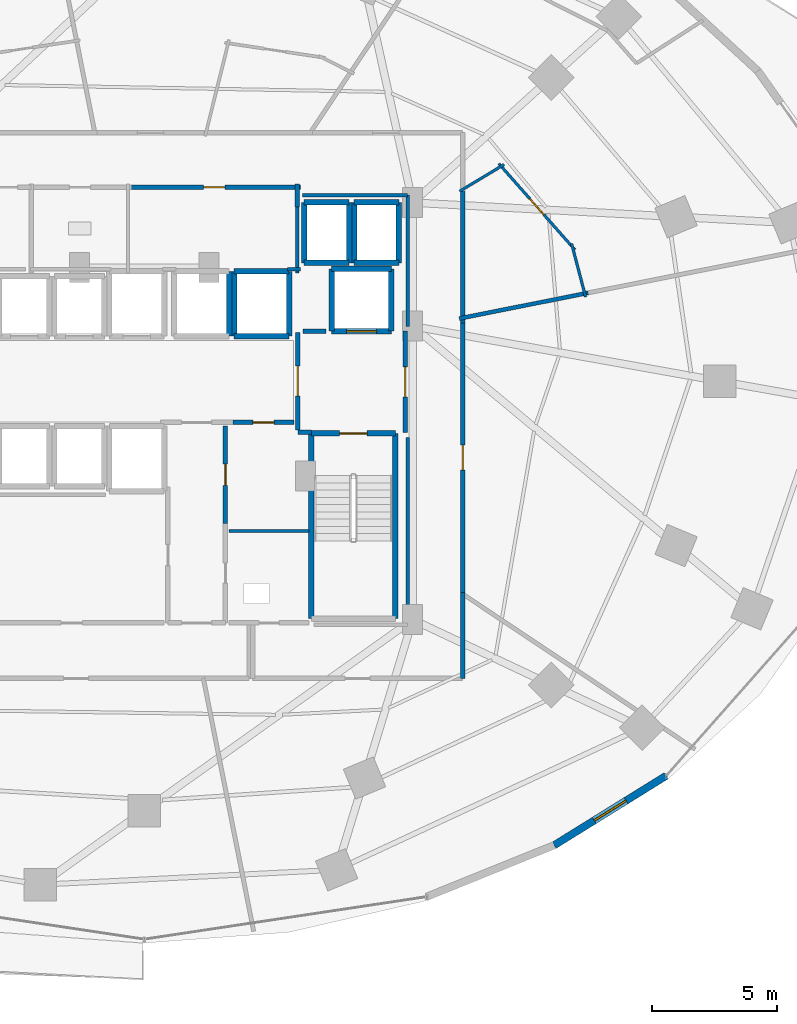
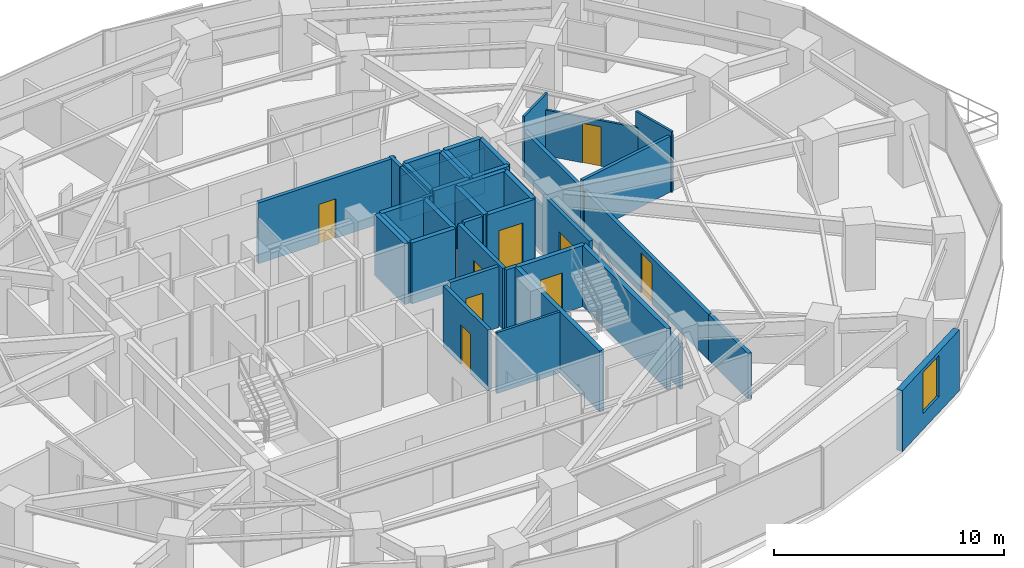
# One storey, part 28 of 33: 42 walls, 9 doors, 1 window, 10 openings.
"""IFC4 building model written with IfcOpenShell, lengths in metres."""

from ifc_helpers import new_model, si_unit, direction, frame, frame_2d, origin, place, context, subcontext, project, spatial, rectangle, extrude, material, layer, layer_set, type_object, element, fill, save


model = new_model("IFC4")

# Units and contexts
model_context = context("Model", 3, precision=1e-05, world=origin(), true_north=direction((0.0, 1.0)))
body_context = subcontext(model_context, "Body", "Model", "MODEL_VIEW")
ifc_project = project(units=[si_unit("LENGTHUNIT", "METRE"), si_unit("AREAUNIT", "SQUARE_METRE"), si_unit("VOLUMEUNIT", "CUBIC_METRE"), si_unit("PLANEANGLEUNIT", "RADIAN"), si_unit("MASSUNIT", "GRAM", prefix="KILO")], contexts=[model_context])

# Site, building, storey
site_placement = place(None, origin())
site = spatial("IfcSite", under=ifc_project, at=site_placement, CompositionType="ELEMENT")
building_placement = place(site_placement, origin())
building = spatial("IfcBuilding", under=site, at=building_placement, Name="Vorneva Point Tower", CompositionType="ELEMENT")
storey_placement = place(building_placement, frame((0.0, 0.0, 38.0)))
storey = spatial("IfcBuildingStorey", under=building, at=storey_placement, Name="L09", CompositionType="ELEMENT", Elevation=38.0)

# Wall, opening, door
ifc_material_1 = material(Name="Concrete B60 (C50/60)", Category="concrete")
ifc_layer_1 = layer(ifc_material_1, 0.5)
ifc_layer_set_1 = layer_set([ifc_layer_1], Name="Concrete B60 (C50/60)")
wall_type_1 = type_object("IfcWallType", Name="WL-CORE-500", PredefinedType="SHEAR", material=ifc_layer_set_1)
wall_1_placement = place(storey_placement, frame((45.5, 28.0, 0.0), z_axis=(0.0, 0.0, 1.0), x_axis=(1.0, 0.0, 0.0)))
wall_1 = element("IfcWall", 1, at=wall_1_placement, inside=storey, type_object=wall_type_1, Name="L09 Lift FFL2 Shaft Wall -Y", PredefinedType="SHEAR", context=body_context, shape_type="SweptSolid", body=[
    extrude(rectangle(XDim=2.39990234375, YDim=0.219970703125, at=frame_2d((1.199951171875, 0.0))), origin(), (0.0, 0.0, 1.0), 3.239990234375),
])
opening_1_placement = place(wall_1_placement, frame((0.60009765625, 0.0, 0.0)))
opening_1 = element("IfcOpeningElement", 2, at=opening_1_placement, cuts=wall_1, Name="Opening LD-02", PredefinedType="OPENING", context=body_context, shape_type="SweptSolid", body=[
    extrude(rectangle(XDim=1.199951171875, YDim=2.199951171875, at=frame_2d((0.60009765625, 1.10009765625))), frame((0.0, 0.125, 0.0), z_axis=(0.0, -1.0, 0.0), x_axis=(1.0, 0.0, 0.0)), (0.0, 0.0, 1.0), 0.249755859375),
])
ifc_material_2 = material(Name="Brushed stainless steel S304", Category="steel")
door_type_1 = type_object("IfcDoorType", Name="LD-FIRE-1200", OperationType="SLIDING_TO_LEFT", PredefinedType="DOOR", material=ifc_material_2)
door_1_placement = place(opening_1_placement, origin())
door_1 = element("IfcDoor", 3, at=door_1_placement, inside=storey, type_object=door_type_1, Name="L09 Lift FFL2 Sliding Landing Door", OperationType="SLIDING_TO_LEFT", OverallHeight=2.199951171875, OverallWidth=1.199951171875, PredefinedType="DOOR", context=body_context, shape_type="SweptSolid", body=[
    extrude(rectangle(XDim=1.199951171875, YDim=2.199951171875, at=frame_2d((0.60009765625, 1.10009765625))), frame((0.0, 0.02490234375, 0.0), z_axis=(0.0, -1.0, 0.0), x_axis=(1.0, 0.0, 0.0)), (0.0, 0.0, 1.0), 0.050048828125),
])
fill(opening_1, door_1)

# Walls
wall_2_placement = place(storey_placement, frame((47.89990234375, 28.0, 0.0), z_axis=(0.0, 0.0, 1.0), x_axis=(0.0, 1.0, 0.0)))
element("IfcWall", 4, at=wall_2_placement, inside=storey, type_object=wall_type_1, Name="L09 Lift FFL2 Shaft Wall +X", PredefinedType="SHEAR", context=body_context, shape_type="SweptSolid", body=[
    extrude(rectangle(XDim=2.5, YDim=0.219970703125, at=frame_2d((1.25, 0.0))), origin(), (0.0, 0.0, 1.0), 3.239990234375),
])
wall_3_placement = place(storey_placement, frame((47.89990234375, 30.5, 0.0), z_axis=(0.0, 0.0, 1.0), x_axis=(-1.0, 0.0, 0.0)))
element("IfcWall", 5, at=wall_3_placement, inside=storey, type_object=wall_type_1, Name="L09 Lift FFL2 Shaft Wall +Y", PredefinedType="SHEAR", context=body_context, shape_type="SweptSolid", body=[
    extrude(rectangle(XDim=2.39990234375, YDim=0.219970703125, at=frame_2d((1.199951171875, 0.0))), origin(), (0.0, 0.0, 1.0), 3.239990234375),
])
wall_4_placement = place(storey_placement, frame((45.5, 30.5, 0.0), z_axis=(0.0, 0.0, 1.0), x_axis=(0.0, -1.0, 0.0)))
element("IfcWall", 6, at=wall_4_placement, inside=storey, type_object=wall_type_1, Name="L09 Lift FFL2 Shaft Wall -X", PredefinedType="SHEAR", context=body_context, shape_type="SweptSolid", body=[
    extrude(rectangle(XDim=2.5, YDim=0.219970703125, at=frame_2d((1.25, 0.0))), origin(), (0.0, 0.0, 1.0), 3.239990234375),
])

# Wall, opening, window
ifc_material_3 = material(Name="Precast concrete B50 (C40/50)", Category="concrete")
ifc_layer_2 = layer(ifc_material_3, 0.300048828125)
ifc_layer_set_2 = layer_set([ifc_layer_2], Name="Precast concrete B50 (C40/50)")
wall_type_2 = type_object("IfcWallType", Name="WL-EXT-300", PredefinedType="STANDARD", material=ifc_layer_set_2)
wall_5_placement = place(storey_placement, frame((54.4169921875, 7.416748046875, 0.0), z_axis=(0.0, 0.0, 1.0), x_axis=(0.849633724826, 0.527373239404, 0.0)))
wall_5 = element("IfcWall", 7, at=wall_5_placement, inside=storey, type_object=wall_type_2, Name="L09 Pale-Metal Facade Spandrel Wall 14.2", PredefinedType="STANDARD", context=body_context, shape_type="SweptSolid", body=[
    extrude(rectangle(XDim=5.2705078125, YDim=0.300048828125, at=frame_2d((2.63525390625, 0.0))), origin(), (0.0, 0.0, 1.0), 3.239990234375),
])
opening_2_placement = place(wall_5_placement, frame((1.88525390625, 0.0, 0.85009765625)))
opening_2 = element("IfcOpeningElement", 8, at=opening_2_placement, cuts=wall_5, Name="Opening W-02", PredefinedType="OPENING", context=body_context, shape_type="SweptSolid", body=[
    extrude(rectangle(XDim=1.5, YDim=2.18994140625, at=frame_2d((0.75, 1.094970703125))), frame((0.0, 0.1650390625, 0.0), z_axis=(0.0, -1.0, 0.0), x_axis=(1.0, 0.0, 0.0)), (0.0, 0.0, 1.0), 0.329833984375),
])
ifc_material_4 = material(Name="Double low-e laminated glass IGU", Category="glass")
window_type = type_object("IfcWindowType", Name="WN-HTL-1500", PartitioningType="SINGLE_PANEL", PredefinedType="WINDOW", material=ifc_material_4)
window_placement = place(opening_2_placement, origin())
window = element("IfcWindow", 9, at=window_placement, inside=storey, type_object=window_type, Name="L09 Facade Window 14", OverallHeight=2.18994140625, OverallWidth=1.5, PartitioningType="SINGLE_PANEL", PredefinedType="WINDOW", context=body_context, shape_type="SweptSolid", body=[
    extrude(rectangle(XDim=1.5, YDim=2.18994140625, at=frame_2d((0.75, 1.094970703125))), frame((0.0, 0.030029296875, 0.0), z_axis=(0.0, -1.0, 0.0), x_axis=(1.0, 0.0, 0.0)), (0.0, 0.0, 1.0), 0.06005859375),
])
fill(opening_2, window)

# Wall
ifc_material_5 = material(Name="Fire-rated acoustic gypsum stud partition", Category="gypsum")
ifc_layer_3 = layer(ifc_material_5, 0.110107421875)
ifc_layer_set_3 = layer_set([ifc_layer_3], Name="Fire-rated acoustic gypsum stud partition")
wall_type_3 = type_object("IfcWallType", Name="WL-PART-110", PredefinedType="PARTITIONING", material=ifc_layer_set_3)
wall_6_placement = place(storey_placement, frame((50.630126953125, 33.603759765625, 0.0), z_axis=(0.0, 0.0, 1.0), x_axis=(0.856631627837, 0.515928535932, 0.0)))
element("IfcWall", 10, at=wall_6_placement, inside=storey, type_object=wall_type_3, Name="L09 Interior Partition 043", PredefinedType="PARTITIONING", context=body_context, shape_type="SweptSolid", body=[
    extrude(rectangle(XDim=2.078857421875, YDim=0.110107421875, at=frame_2d((1.03955078125, 0.0))), origin(), (0.0, 0.0, 1.0), 3.239990234375),
])

# Wall, opening, door
wall_7_placement = place(storey_placement, frame((52.1982421875, 34.708984375, 0.0), z_axis=(0.0, 0.0, 1.0), x_axis=(0.662071486681, -0.74944068913, 0.0)))
wall_7 = element("IfcWall", 11, at=wall_7_placement, inside=storey, type_object=wall_type_3, Name="L09 Interior Partition 044", PredefinedType="PARTITIONING", context=body_context, shape_type="SweptSolid", body=[
    extrude(rectangle(XDim=4.593994140625, YDim=0.110107421875, at=frame_2d((2.296875, 0.0))), origin(), (0.0, 0.0, 1.0), 2.431884765625),
])
opening_3_placement = place(wall_7_placement, frame((1.871826171875, 0.0, 0.0)))
opening_3 = element("IfcOpeningElement", 12, at=opening_3_placement, cuts=wall_7, Name="Opening ID-02", PredefinedType="OPENING", context=body_context, shape_type="SweptSolid", body=[
    extrude(rectangle(XDim=0.85009765625, YDim=2.10009765625, at=frame_2d((0.425048828125, 1.050048828125))), frame((0.0, 0.06982421875, 0.0), z_axis=(0.0, -1.0, 0.0), x_axis=(1.0, 0.0, 0.0)), (0.0, 0.0, 1.0), 0.139892578125),
])
ifc_material_6 = material(Name="Engineered oak fire-rated door leaf", Category="wood")
door_type_2 = type_object("IfcDoorType", Name="DR-BATH-850", OperationType="NOTDEFINED", PredefinedType="DOOR", material=ifc_material_6)
door_2_placement = place(opening_3_placement, origin())
door_2 = element("IfcDoor", 13, at=door_2_placement, inside=storey, type_object=door_type_2, Name="L09 Door Executive Suite L09-01 / En-Suite Bathroom L09-01", OperationType="SINGLE_SWING_RIGHT", OverallHeight=2.10009765625, OverallWidth=0.85009765625, PredefinedType="DOOR", context=body_context, shape_type="SweptSolid", body=[
    extrude(rectangle(XDim=0.85009765625, YDim=2.10009765625, at=frame_2d((0.425048828125, 1.050048828125))), frame((0.0, 0.02490234375, 0.0), z_axis=(0.0, -1.0, 0.0), x_axis=(1.0, 0.0, 0.0)), (0.0, 0.0, 1.0), 0.050048828125),
])
fill(opening_3, door_2)

# Walls
wall_8_placement = place(storey_placement, frame((55.111328125, 31.50634765625, 0.0), z_axis=(0.0, 0.0, 1.0), x_axis=(0.254389812051, -0.967101764823, 0.0)))
element("IfcWall", 14, at=wall_8_placement, inside=storey, type_object=wall_type_3, Name="L09 Interior Partition 045", PredefinedType="PARTITIONING", context=body_context, shape_type="SweptSolid", body=[
    extrude(rectangle(XDim=2.206298828125, YDim=0.110107421875, at=frame_2d((1.10302734375, 0.0))), origin(), (0.0, 0.0, 1.0), 3.239990234375),
])
ifc_layer_4 = layer(ifc_material_5, 0.125)
ifc_layer_set_4 = layer_set([ifc_layer_4], Name="Fire-rated acoustic gypsum stud partition")
wall_type_4 = type_object("IfcWallType", Name="WL-PART-125", PredefinedType="PARTITIONING", material=ifc_layer_set_4)
wall_9_placement = place(storey_placement, frame((44.60009765625, 20.0, 0.0), z_axis=(0.0, 0.0, 1.0), x_axis=(-1.0, 0.0, 0.0)))
element("IfcWall", 15, at=wall_9_placement, inside=storey, type_object=wall_type_4, Name="L09 Interior Partition 015", PredefinedType="PARTITIONING", context=body_context, shape_type="SweptSolid", body=[
    extrude(rectangle(XDim=3.2001953125, YDim=0.125, at=frame_2d((1.60009765625, 0.0))), origin(), (0.0, 0.0, 1.0), 3.239990234375),
])
ifc_layer_5 = layer(ifc_material_5, 0.139892578125)
ifc_layer_set_5 = layer_set([ifc_layer_5], Name="Fire-rated acoustic gypsum stud partition")
wall_type_5 = type_object("IfcWallType", Name="WL-PART-140", PredefinedType="PARTITIONING", material=ifc_layer_set_5)
wall_10_placement = place(storey_placement, frame((43.735107421875, 30.47998046875, 0.0), z_axis=(0.0, 0.0, 1.0), x_axis=(1.0, 0.0, 0.0)))
element("IfcWall", 16, at=wall_10_placement, inside=storey, type_object=wall_type_5, Name="L09 Interior Closure Partition 091", PredefinedType="PARTITIONING", context=body_context, shape_type="SweptSolid", body=[
    extrude(rectangle(XDim=0.52490234375, YDim=0.139892578125, at=frame_2d((0.262451171875, 0.0))), origin(), (0.0, 0.0, 1.0), 3.239990234375),
])
wall_11_placement = place(storey_placement, frame((44.1201171875, 30.340087890625, 0.0), z_axis=(0.0, 0.0, 1.0), x_axis=(0.0, 1.0, 0.0)))
element("IfcWall", 17, at=wall_11_placement, inside=storey, type_object=wall_type_5, Name="L09 Interior Closure Partition 092", PredefinedType="PARTITIONING", context=body_context, shape_type="SweptSolid", body=[
    extrude(rectangle(XDim=2.659912109375, YDim=0.139892578125, at=frame_2d((1.330078125, 0.0))), origin(), (0.0, 0.0, 1.0), 3.239990234375),
])
wall_12_placement = place(storey_placement, frame((44.340087890625, 33.449951171875, 0.0), z_axis=(0.0, 0.0, 1.0), x_axis=(1.0, 0.0, 0.0)))
element("IfcWall", 18, at=wall_12_placement, inside=storey, type_object=wall_type_5, Name="L09 Interior Closure Partition 094", PredefinedType="PARTITIONING", context=body_context, shape_type="SweptSolid", body=[
    extrude(rectangle(XDim=4.2099609375, YDim=0.139892578125, at=frame_2d((2.10498046875, 0.0))), origin(), (0.0, 0.0, 1.0), 2.431884765625),
])
wall_13_placement = place(storey_placement, frame((48.550048828125, 33.449951171875, 0.0), z_axis=(0.0, 0.0, 1.0), x_axis=(0.0, -1.0, 0.0)))
element("IfcWall", 19, at=wall_13_placement, inside=storey, type_object=wall_type_5, Name="L09 Interior Closure Partition 095", PredefinedType="PARTITIONING", context=body_context, shape_type="SweptSolid", body=[
    extrude(rectangle(XDim=5.25390625, YDim=0.139892578125, at=frame_2d((2.626953125, 0.0))), origin(), (0.0, 0.0, 1.0), 2.431884765625),
])
wall_14_placement = place(storey_placement, frame((48.550048828125, 23.75390625, 0.0), z_axis=(0.0, 0.0, 1.0), x_axis=(0.0, -1.0, 0.0)))
element("IfcWall", 20, at=wall_14_placement, inside=storey, type_object=wall_type_5, Name="L09 Interior Closure Partition 096", PredefinedType="PARTITIONING", context=body_context, shape_type="SweptSolid", body=[
    extrude(rectangle(XDim=7.513916015625, YDim=0.139892578125, at=frame_2d((3.7568359375, 0.0))), origin(), (0.0, 0.0, 1.0), 2.431884765625),
])
ifc_layer_6 = layer(ifc_material_5, 0.159912109375)
ifc_layer_set_6 = layer_set([ifc_layer_6], Name="Fire-rated acoustic gypsum stud partition")
wall_type_6 = type_object("IfcWallType", Name="WL-PART-160", PredefinedType="PARTITIONING", material=ifc_layer_set_6)
wall_15_placement = place(storey_placement, frame((50.61279296875, 28.5087890625, 0.0), z_axis=(0.0, 0.0, 1.0), x_axis=(0.980788877604, 0.195072236795, 0.0)))
element("IfcWall", 21, at=wall_15_placement, inside=storey, type_object=wall_type_6, Name="L09 Interior Partition 051", PredefinedType="PARTITIONING", context=body_context, shape_type="SweptSolid", body=[
    extrude(rectangle(XDim=5.2626953125, YDim=0.159912109375, at=frame_2d((2.63134765625, 0.0))), origin(), (0.0, 0.0, 1.0), 2.971923828125),
])

# Wall, opening, door
ifc_material_7 = material(Name="Autoclaved aerated concrete blockwork", Category="masonry")
ifc_layer_7 = layer(ifc_material_7, 0.179931640625)
ifc_layer_set_7 = layer_set([ifc_layer_7], Name="Autoclaved aerated concrete blockwork")
wall_type_7 = type_object("IfcWallType", Name="WL-PART-180", PredefinedType="PARTITIONING", material=ifc_layer_set_7)
wall_16_placement = place(storey_placement, frame((44.14990234375, 27.955078125, 0.0), z_axis=(0.0, 0.0, 1.0), x_axis=(0.0, -1.0, 0.0)))
wall_16 = element("IfcWall", 22, at=wall_16_placement, inside=storey, type_object=wall_type_7, Name="L09 Interior Partition 003", PredefinedType="PARTITIONING", context=body_context, shape_type="SweptSolid", body=[
    extrude(rectangle(XDim=3.91015625, YDim=0.179931640625, at=frame_2d((1.955078125, 0.0))), origin(), (0.0, 0.0, 1.0), 3.239990234375),
])
opening_4_placement = place(wall_16_placement, frame((1.35498046875, 0.0, 0.0)))
opening_4 = element("IfcOpeningElement", 23, at=opening_4_placement, cuts=wall_16, Name="Opening FD-02", PredefinedType="OPENING", context=body_context, shape_type="SweptSolid", body=[
    extrude(rectangle(XDim=1.199951171875, YDim=2.14990234375, at=frame_2d((0.60009765625, 1.074951171875))), frame((0.0, 0.10498046875, 0.0), z_axis=(0.0, -1.0, 0.0), x_axis=(1.0, 0.0, 0.0)), (0.0, 0.0, 1.0), 0.209716796875),
])
ifc_material_8 = material(Name="Fire-rated powder-coated steel", Category="steel")
door_type_3 = type_object("IfcDoorType", Name="DR-FFL-1200", OperationType="NOTDEFINED", PredefinedType="DOOR", material=ifc_material_8)
door_3_placement = place(opening_4_placement, origin())
door_3 = element("IfcDoor", 24, at=door_3_placement, inside=storey, type_object=door_type_3, Name="L09 Door East Firefighting Lobby / Central Lift Lobby", OperationType="SINGLE_SWING_RIGHT", OverallHeight=2.14990234375, OverallWidth=1.199951171875, PredefinedType="DOOR", context=body_context, shape_type="SweptSolid", body=[
    extrude(rectangle(XDim=1.199951171875, YDim=2.14990234375, at=frame_2d((0.60009765625, 1.074951171875))), frame((0.0, 0.02490234375, 0.0), z_axis=(0.0, -1.0, 0.0), x_axis=(1.0, 0.0, 0.0)), (0.0, 0.0, 1.0), 0.050048828125),
])
fill(opening_4, door_3)

# Wall
wall_17_placement = place(storey_placement, frame((44.14990234375, 23.949951171875, 0.0), z_axis=(0.0, 0.0, 1.0), x_axis=(1.0, 0.0, 0.0)))
element("IfcWall", 25, at=wall_17_placement, inside=storey, type_object=wall_type_7, Name="L09 Interior Partition 004", PredefinedType="PARTITIONING", context=body_context, shape_type="SweptSolid", body=[
    extrude(rectangle(XDim=0.5400390625, YDim=0.179931640625, at=frame_2d((0.27001953125, 0.0))), origin(), (0.0, 0.0, 1.0), 3.239990234375),
])

# Wall, opening, door
wall_18_placement = place(storey_placement, frame((48.449951171875, 23.949951171875, 0.0), z_axis=(0.0, 0.0, 1.0), x_axis=(0.0, 1.0, 0.0)))
wall_18 = element("IfcWall", 26, at=wall_18_placement, inside=storey, type_object=wall_type_7, Name="L09 Interior Partition 005", PredefinedType="PARTITIONING", context=body_context, shape_type="SweptSolid", body=[
    extrude(rectangle(XDim=4.050048828125, YDim=0.179931640625, at=frame_2d((2.02490234375, 0.0))), origin(), (0.0, 0.0, 1.0), 3.239990234375),
])
opening_5_placement = place(wall_18_placement, frame((1.425048828125, 0.0, 0.0)))
opening_5 = element("IfcOpeningElement", 27, at=opening_5_placement, cuts=wall_18, Name="Opening FD-02", PredefinedType="OPENING", context=body_context, shape_type="SweptSolid", body=[
    extrude(rectangle(XDim=1.199951171875, YDim=2.14990234375, at=frame_2d((0.60009765625, 1.074951171875))), frame((0.0, 0.10498046875, 0.0), z_axis=(0.0, -1.0, 0.0), x_axis=(1.0, 0.0, 0.0)), (0.0, 0.0, 1.0), 0.209716796875),
])
door_4_placement = place(opening_5_placement, origin())
door_4 = element("IfcDoor", 28, at=door_4_placement, inside=storey, type_object=door_type_3, Name="L09 Door East Firefighting Lobby / L09 Circulation Corridor", OperationType="SINGLE_SWING_LEFT", OverallHeight=2.14990234375, OverallWidth=1.199951171875, PredefinedType="DOOR", context=body_context, shape_type="SweptSolid", body=[
    extrude(rectangle(XDim=1.199951171875, YDim=2.14990234375, at=frame_2d((0.60009765625, 1.074951171875))), frame((0.0, 0.02490234375, 0.0), z_axis=(0.0, -1.0, 0.0), x_axis=(1.0, 0.0, 0.0)), (0.0, 0.0, 1.0), 0.050048828125),
])
fill(opening_5, door_4)

wall_19_placement = place(storey_placement, frame((41.554931640625, 24.35009765625, 0.0), z_axis=(0.0, 0.0, 1.0), x_axis=(1.0, 0.0, 0.0)))
wall_19 = element("IfcWall", 29, at=wall_19_placement, inside=storey, type_object=wall_type_7, Name="L09 Interior Partition 010", PredefinedType="PARTITIONING", context=body_context, shape_type="SweptSolid", body=[
    extrude(rectangle(XDim=2.445068359375, YDim=0.179931640625, at=frame_2d((1.22265625, 0.0))), origin(), (0.0, 0.0, 1.0), 3.239990234375),
])
opening_6_placement = place(wall_19_placement, frame((0.797607421875, 0.0, 0.0)))
opening_6 = element("IfcOpeningElement", 30, at=opening_6_placement, cuts=wall_19, Name="Opening ID-02", PredefinedType="OPENING", context=body_context, shape_type="SweptSolid", body=[
    extrude(rectangle(XDim=0.85009765625, YDim=2.10009765625, at=frame_2d((0.425048828125, 1.050048828125))), frame((0.0, 0.10498046875, 0.0), z_axis=(0.0, -1.0, 0.0), x_axis=(1.0, 0.0, 0.0)), (0.0, 0.0, 1.0), 0.209716796875),
])
door_5_placement = place(opening_6_placement, origin())
door_5 = element("IfcDoor", 31, at=door_5_placement, inside=storey, type_object=door_type_2, Name="L09 Door Central Lift Lobby / Cleaners Store", OperationType="SINGLE_SWING_RIGHT", OverallHeight=2.10009765625, OverallWidth=0.85009765625, PredefinedType="DOOR", context=body_context, shape_type="SweptSolid", body=[
    extrude(rectangle(XDim=0.85009765625, YDim=2.10009765625, at=frame_2d((0.425048828125, 1.050048828125))), frame((0.0, 0.02490234375, 0.0), z_axis=(0.0, -1.0, 0.0), x_axis=(1.0, 0.0, 0.0)), (0.0, 0.0, 1.0), 0.050048828125),
])
fill(opening_6, door_5)

wall_20_placement = place(storey_placement, frame((41.25, 20.304931640625, 0.0), z_axis=(0.0, 0.0, 1.0), x_axis=(0.0, 1.0, 0.0)))
wall_20 = element("IfcWall", 32, at=wall_20_placement, inside=storey, type_object=wall_type_7, Name="L09 Interior Partition 012", PredefinedType="PARTITIONING", context=body_context, shape_type="SweptSolid", body=[
    extrude(rectangle(XDim=3.89501953125, YDim=0.179931640625, at=frame_2d((1.947509765625, 0.0))), origin(), (0.0, 0.0, 1.0), 3.239990234375),
])
opening_7_placement = place(wall_20_placement, frame((1.5224609375, 0.0, 0.0)))
opening_7 = element("IfcOpeningElement", 33, at=opening_7_placement, cuts=wall_20, Name="Opening ID-02", PredefinedType="OPENING", context=body_context, shape_type="SweptSolid", body=[
    extrude(rectangle(XDim=0.85009765625, YDim=2.10009765625, at=frame_2d((0.425048828125, 1.050048828125))), frame((0.0, 0.10498046875, 0.0), z_axis=(0.0, -1.0, 0.0), x_axis=(1.0, 0.0, 0.0)), (0.0, 0.0, 1.0), 0.209716796875),
])
door_6_placement = place(opening_7_placement, origin())
door_6 = element("IfcDoor", 34, at=door_6_placement, inside=storey, type_object=door_type_2, Name="L09 Door Core Service Lobby / Cleaners Store", OperationType="SINGLE_SWING_RIGHT", OverallHeight=2.10009765625, OverallWidth=0.85009765625, PredefinedType="DOOR", context=body_context, shape_type="SweptSolid", body=[
    extrude(rectangle(XDim=0.85009765625, YDim=2.10009765625, at=frame_2d((0.425048828125, 1.050048828125))), frame((0.0, 0.02490234375, 0.0), z_axis=(0.0, -1.0, 0.0), x_axis=(1.0, 0.0, 0.0)), (0.0, 0.0, 1.0), 0.050048828125),
])
fill(opening_7, door_6)

wall_21_placement = place(storey_placement, frame((44.260009765625, 33.760009765625, 0.0), z_axis=(0.0, 0.0, 1.0), x_axis=(-1.0, 0.0, 0.0)))
wall_21 = element("IfcWall", 35, at=wall_21_placement, inside=storey, type_object=wall_type_7, Name="L09 Interior Partition 019", PredefinedType="PARTITIONING", context=body_context, shape_type="SweptSolid", body=[
    extrude(rectangle(XDim=6.909912109375, YDim=0.179931640625, at=frame_2d((3.455078125, 0.0))), origin(), (0.0, 0.0, 1.0), 3.239990234375),
])
opening_8_placement = place(wall_21_placement, frame((3.030029296875, 0.0, 0.0)))
opening_8 = element("IfcOpeningElement", 36, at=opening_8_placement, cuts=wall_21, Name="Opening ID-02", PredefinedType="OPENING", context=body_context, shape_type="SweptSolid", body=[
    extrude(rectangle(XDim=0.85009765625, YDim=2.10009765625, at=frame_2d((0.425048828125, 1.050048828125))), frame((0.0, 0.10498046875, 0.0), z_axis=(0.0, -1.0, 0.0), x_axis=(1.0, 0.0, 0.0)), (0.0, 0.0, 1.0), 0.209716796875),
])
door_7_placement = place(opening_8_placement, origin())
door_7 = element("IfcDoor", 37, at=door_7_placement, inside=storey, type_object=door_type_2, Name="L09 Door Public Restroom / L09 Circulation Corridor", OperationType="SINGLE_SWING_LEFT", OverallHeight=2.10009765625, OverallWidth=0.85009765625, PredefinedType="DOOR", context=body_context, shape_type="SweptSolid", body=[
    extrude(rectangle(XDim=0.85009765625, YDim=2.10009765625, at=frame_2d((0.425048828125, 1.050048828125))), frame((0.0, 0.02490234375, 0.0), z_axis=(0.0, -1.0, 0.0), x_axis=(1.0, 0.0, 0.0)), (0.0, 0.0, 1.0), 0.050048828125),
])
fill(opening_8, door_7)

# Walls
wall_22_placement = place(storey_placement, frame((44.1201171875, 32.969970703125, 0.0), z_axis=(0.0, 0.0, 1.0), x_axis=(0.0, 1.0, 0.0)))
element("IfcWall", 38, at=wall_22_placement, inside=storey, type_object=wall_type_7, Name="L09 Interior Partition 020", PredefinedType="PARTITIONING", context=body_context, shape_type="SweptSolid", body=[
    extrude(rectangle(XDim=0.929931640625, YDim=0.179931640625, at=frame_2d((0.46484375, 0.0))), origin(), (0.0, 0.0, 1.0), 3.239990234375),
])
wall_23_placement = place(storey_placement, frame((50.75, 28.3359375, 0.0), z_axis=(0.0, 0.0, 1.0), x_axis=(0.0, 1.0, 0.0)))
element("IfcWall", 39, at=wall_23_placement, inside=storey, type_object=wall_type_7, Name="L09 Interior Partition 024", PredefinedType="PARTITIONING", context=body_context, shape_type="SweptSolid", body=[
    extrude(rectangle(XDim=5.420166015625, YDim=0.179931640625, at=frame_2d((2.7099609375, 0.0))), origin(), (0.0, 0.0, 1.0), 2.431884765625),
])
wall_24_placement = place(storey_placement, frame((50.75, 14.10009765625, 0.0), z_axis=(0.0, 0.0, 1.0), x_axis=(0.0, 1.0, 0.0)))
element("IfcWall", 40, at=wall_24_placement, inside=storey, type_object=wall_type_7, Name="L09 Interior Partition 039", PredefinedType="PARTITIONING", context=body_context, shape_type="SweptSolid", body=[
    extrude(rectangle(XDim=3.44091796875, YDim=0.179931640625, at=frame_2d((1.720458984375, 0.0))), origin(), (0.0, 0.0, 1.0), 2.431884765625),
])

# Wall, opening, door
wall_25_placement = place(storey_placement, frame((50.75, 17.541015625, 0.0), z_axis=(0.0, 0.0, 1.0), x_axis=(0.0, 1.0, 0.0)))
wall_25 = element("IfcWall", 41, at=wall_25_placement, inside=storey, type_object=wall_type_7, Name="L09 Interior Partition 042", PredefinedType="PARTITIONING", context=body_context, shape_type="SweptSolid", body=[
    extrude(rectangle(XDim=10.794921875, YDim=0.179931640625, at=frame_2d((5.3974609375, 0.0))), origin(), (0.0, 0.0, 1.0), 2.431884765625),
])
opening_9_placement = place(wall_25_placement, frame((4.8974609375, 0.0, 0.0)))
opening_9 = element("IfcOpeningElement", 42, at=opening_9_placement, cuts=wall_25, Name="Opening UD-01", PredefinedType="OPENING", context=body_context, shape_type="SweptSolid", body=[
    extrude(rectangle(XDim=1.0, YDim=2.14990234375, at=frame_2d((0.5, 1.074951171875))), frame((0.0, 0.10498046875, 0.0), z_axis=(0.0, -1.0, 0.0), x_axis=(1.0, 0.0, 0.0)), (0.0, 0.0, 1.0), 0.209716796875),
])
door_type_4 = type_object("IfcDoorType", Name="DR-UNIT-1000", OperationType="NOTDEFINED", PredefinedType="DOOR", material=ifc_material_6)
door_8_placement = place(opening_9_placement, origin())
door_8 = element("IfcDoor", 43, at=door_8_placement, inside=storey, type_object=door_type_4, Name="L09 Door L09 Circulation Corridor / Executive Meeting Room L09-08", OperationType="SINGLE_SWING_LEFT", OverallHeight=2.14990234375, OverallWidth=1.0, PredefinedType="DOOR", context=body_context, shape_type="SweptSolid", body=[
    extrude(rectangle(XDim=1.0, YDim=2.14990234375, at=frame_2d((0.5, 1.074951171875))), frame((0.0, 0.02490234375, 0.0), z_axis=(0.0, -1.0, 0.0), x_axis=(1.0, 0.0, 0.0)), (0.0, 0.0, 1.0), 0.050048828125),
])
fill(opening_9, door_8)

# Wall
wall_26_placement = place(storey_placement, frame((45.280029296875, 28.0, 0.0), z_axis=(0.0, 0.0, 1.0), x_axis=(-1.0, 0.0, 0.0)))
element("IfcWall", 44, at=wall_26_placement, inside=storey, type_object=wall_type_7, Name="L09 Interior Closure Partition 087", PredefinedType="PARTITIONING", context=body_context, shape_type="SweptSolid", body=[
    extrude(rectangle(XDim=0.9150390625, YDim=0.179931640625, at=frame_2d((0.45751953125, 0.0))), origin(), (0.0, 0.0, 1.0), 3.239990234375),
])

# Wall, opening, door
ifc_material_9 = material(Name="Concrete B50 (C40/50)", Category="concrete")
ifc_layer_8 = layer(ifc_material_9, 0.219970703125)
ifc_layer_set_8 = layer_set([ifc_layer_8], Name="Concrete B50 (C40/50)")
wall_type_8 = type_object("IfcWallType", Name="WL-SHFT-220", PredefinedType="SOLIDWALL", material=ifc_layer_set_8)
wall_27_placement = place(storey_placement, frame((44.68994140625, 23.909912109375, 0.0), z_axis=(0.0, 0.0, 1.0), x_axis=(1.0, 0.0, 0.0)))
wall_27 = element("IfcWall", 45, at=wall_27_placement, inside=storey, type_object=wall_type_8, Name="L09 Exit Stair ST2 Shaft Wall near", PredefinedType="SOLIDWALL", context=body_context, shape_type="SweptSolid", body=[
    extrude(rectangle(XDim=3.3701171875, YDim=0.219970703125, at=frame_2d((1.68505859375, 0.0))), origin(), (0.0, 0.0, 1.0), 3.239990234375),
])
opening_10_placement = place(wall_27_placement, frame((1.135009765625, 0.0, 0.0)))
opening_10 = element("IfcOpeningElement", 46, at=opening_10_placement, cuts=wall_27, Name="Opening FD-01", PredefinedType="OPENING", context=body_context, shape_type="SweptSolid", body=[
    extrude(rectangle(XDim=1.10009765625, YDim=2.14990234375, at=frame_2d((0.550048828125, 1.074951171875))), frame((0.0, 0.125, 0.0), z_axis=(0.0, -1.0, 0.0), x_axis=(1.0, 0.0, 0.0)), (0.0, 0.0, 1.0), 0.249755859375),
])
door_type_5 = type_object("IfcDoorType", Name="DR-STAIR-1100", OperationType="NOTDEFINED", PredefinedType="DOOR", material=ifc_material_8)
door_9_placement = place(opening_10_placement, origin())
door_9 = element("IfcDoor", 47, at=door_9_placement, inside=storey, type_object=door_type_5, Name="L09 Exit Stair ST2 Fire Door", OperationType="SINGLE_SWING_RIGHT", OverallHeight=2.14990234375, OverallWidth=1.10009765625, PredefinedType="DOOR", context=body_context, shape_type="SweptSolid", body=[
    extrude(rectangle(XDim=1.10009765625, YDim=2.14990234375, at=frame_2d((0.550048828125, 1.074951171875))), frame((0.0, 0.02490234375, 0.0), z_axis=(0.0, -1.0, 0.0), x_axis=(1.0, 0.0, 0.0)), (0.0, 0.0, 1.0), 0.050048828125),
])
fill(opening_10, door_9)

# Walls
for number, where, z_axis, x_axis, name in (
    (48, (48.06005859375, 23.909912109375, 0.0), (0.0, 0.0, 1.0), (0.0, -1.0, 0.0), "L09 Exit Stair ST2 Shaft Wall right"),
    (49, (44.68994140625, 16.489990234375, 0.0), (0.0, 0.0, 1.0), (0.0, 1.0, 0.0), "L09 Exit Stair ST2 Shaft Wall left"),
):
    element("IfcWall", number, at=place(storey_placement, frame(where, z_axis=z_axis, x_axis=x_axis)), inside=storey, type_object=wall_type_8, Name=name, PredefinedType="SOLIDWALL", context=body_context, shape_type="SweptSolid", body=[
        extrude(rectangle(XDim=7.419921875, YDim=0.219970703125, at=frame_2d((3.7099609375, 0.0))), origin(), (0.0, 0.0, 1.0), 3.239990234375),
    ])
wall_28_placement = place(storey_placement, frame((41.39990234375, 27.800048828125, 0.0), z_axis=(0.0, 0.0, 1.0), x_axis=(0.0, 1.0, 0.0)))
element("IfcWall", 50, at=wall_28_placement, inside=storey, type_object=wall_type_8, Name="L09 Lift PL7 Shaft Wall +X", PredefinedType="SOLIDWALL", context=body_context, shape_type="SweptSolid", body=[
    extrude(rectangle(XDim=2.599853515625, YDim=0.219970703125, at=frame_2d((1.2998046875, 0.0))), origin(), (0.0, 0.0, 1.0), 3.239990234375),
])
wall_29_placement = place(storey_placement, frame((41.60009765625, 27.800048828125, 0.0), z_axis=(0.0, 0.0, 1.0), x_axis=(1.0, 0.0, 0.0)))
element("IfcWall", 51, at=wall_29_placement, inside=storey, type_object=wall_type_8, Name="L09 Lift PL8 Shaft Wall -Y", PredefinedType="SOLIDWALL", context=body_context, shape_type="SweptSolid", body=[
    extrude(rectangle(XDim=2.199951171875, YDim=0.219970703125, at=frame_2d((1.10009765625, 0.0))), origin(), (0.0, 0.0, 1.0), 3.239990234375),
])
wall_30_placement = place(storey_placement, frame((43.800048828125, 27.800048828125, 0.0), z_axis=(0.0, 0.0, 1.0), x_axis=(0.0, 1.0, 0.0)))
element("IfcWall", 52, at=wall_30_placement, inside=storey, type_object=wall_type_8, Name="L09 Lift PL8 Shaft Wall +X", PredefinedType="SOLIDWALL", context=body_context, shape_type="SweptSolid", body=[
    extrude(rectangle(XDim=2.599853515625, YDim=0.219970703125, at=frame_2d((1.2998046875, 0.0))), origin(), (0.0, 0.0, 1.0), 3.239990234375),
])
wall_31_placement = place(storey_placement, frame((43.800048828125, 30.39990234375, 0.0), z_axis=(0.0, 0.0, 1.0), x_axis=(-1.0, 0.0, 0.0)))
element("IfcWall", 53, at=wall_31_placement, inside=storey, type_object=wall_type_8, Name="L09 Lift PL8 Shaft Wall +Y", PredefinedType="SOLIDWALL", context=body_context, shape_type="SweptSolid", body=[
    extrude(rectangle(XDim=2.199951171875, YDim=0.219970703125, at=frame_2d((1.10009765625, 0.0))), origin(), (0.0, 0.0, 1.0), 3.239990234375),
])
wall_32_placement = place(storey_placement, frame((41.60009765625, 30.39990234375, 0.0), z_axis=(0.0, 0.0, 1.0), x_axis=(0.0, -1.0, 0.0)))
element("IfcWall", 54, at=wall_32_placement, inside=storey, type_object=wall_type_8, Name="L09 Lift PL8 Shaft Wall -X", PredefinedType="SOLIDWALL", context=body_context, shape_type="SweptSolid", body=[
    extrude(rectangle(XDim=2.599853515625, YDim=0.219970703125, at=frame_2d((1.2998046875, 0.0))), origin(), (0.0, 0.0, 1.0), 3.239990234375),
])
wall_33_placement = place(storey_placement, frame((44.39990234375, 30.739990234375, 0.0), z_axis=(0.0, 0.0, 1.0), x_axis=(1.0, 0.0, 0.0)))
element("IfcWall", 55, at=wall_33_placement, inside=storey, type_object=wall_type_8, Name="L09 Lift EX1 Shaft Wall -Y", PredefinedType="SOLIDWALL", context=body_context, shape_type="SweptSolid", body=[
    extrude(rectangle(XDim=1.800048828125, YDim=0.219970703125, at=frame_2d((0.89990234375, 0.0))), origin(), (0.0, 0.0, 1.0), 3.239990234375),
])
wall_34_placement = place(storey_placement, frame((46.199951171875, 30.739990234375, 0.0), z_axis=(0.0, 0.0, 1.0), x_axis=(0.0, 1.0, 0.0)))
element("IfcWall", 56, at=wall_34_placement, inside=storey, type_object=wall_type_8, Name="L09 Lift EX1 Shaft Wall +X", PredefinedType="SOLIDWALL", context=body_context, shape_type="SweptSolid", body=[
    extrude(rectangle(XDim=2.419921875, YDim=0.219970703125, at=frame_2d((1.2099609375, 0.0))), origin(), (0.0, 0.0, 1.0), 3.239990234375),
])
wall_35_placement = place(storey_placement, frame((46.199951171875, 33.159912109375, 0.0), z_axis=(0.0, 0.0, 1.0), x_axis=(-1.0, 0.0, 0.0)))
element("IfcWall", 57, at=wall_35_placement, inside=storey, type_object=wall_type_8, Name="L09 Lift EX1 Shaft Wall +Y", PredefinedType="SOLIDWALL", context=body_context, shape_type="SweptSolid", body=[
    extrude(rectangle(XDim=1.800048828125, YDim=0.219970703125, at=frame_2d((0.89990234375, 0.0))), origin(), (0.0, 0.0, 1.0), 3.239990234375),
])
wall_36_placement = place(storey_placement, frame((44.39990234375, 33.159912109375, 0.0), z_axis=(0.0, 0.0, 1.0), x_axis=(0.0, -1.0, 0.0)))
element("IfcWall", 58, at=wall_36_placement, inside=storey, type_object=wall_type_8, Name="L09 Lift EX1 Shaft Wall -X", PredefinedType="SOLIDWALL", context=body_context, shape_type="SweptSolid", body=[
    extrude(rectangle(XDim=2.419921875, YDim=0.219970703125, at=frame_2d((1.2099609375, 0.0))), origin(), (0.0, 0.0, 1.0), 3.239990234375),
])
wall_37_placement = place(storey_placement, frame((46.39990234375, 30.739990234375, 0.0), z_axis=(0.0, 0.0, 1.0), x_axis=(1.0, 0.0, 0.0)))
element("IfcWall", 59, at=wall_37_placement, inside=storey, type_object=wall_type_8, Name="L09 Lift EX2 Shaft Wall -Y", PredefinedType="SOLIDWALL", context=body_context, shape_type="SweptSolid", body=[
    extrude(rectangle(XDim=1.800048828125, YDim=0.219970703125, at=frame_2d((0.89990234375, 0.0))), origin(), (0.0, 0.0, 1.0), 3.239990234375),
])
wall_38_placement = place(storey_placement, frame((48.199951171875, 30.739990234375, 0.0), z_axis=(0.0, 0.0, 1.0), x_axis=(0.0, 1.0, 0.0)))
element("IfcWall", 60, at=wall_38_placement, inside=storey, type_object=wall_type_8, Name="L09 Lift EX2 Shaft Wall +X", PredefinedType="SOLIDWALL", context=body_context, shape_type="SweptSolid", body=[
    extrude(rectangle(XDim=2.419921875, YDim=0.219970703125, at=frame_2d((1.2099609375, 0.0))), origin(), (0.0, 0.0, 1.0), 3.239990234375),
])
wall_39_placement = place(storey_placement, frame((48.199951171875, 33.159912109375, 0.0), z_axis=(0.0, 0.0, 1.0), x_axis=(-1.0, 0.0, 0.0)))
element("IfcWall", 61, at=wall_39_placement, inside=storey, type_object=wall_type_8, Name="L09 Lift EX2 Shaft Wall +Y", PredefinedType="SOLIDWALL", context=body_context, shape_type="SweptSolid", body=[
    extrude(rectangle(XDim=1.800048828125, YDim=0.219970703125, at=frame_2d((0.89990234375, 0.0))), origin(), (0.0, 0.0, 1.0), 3.239990234375),
])
wall_40_placement = place(storey_placement, frame((46.39990234375, 33.159912109375, 0.0), z_axis=(0.0, 0.0, 1.0), x_axis=(0.0, -1.0, 0.0)))
element("IfcWall", 62, at=wall_40_placement, inside=storey, type_object=wall_type_8, Name="L09 Lift EX2 Shaft Wall -X", PredefinedType="SOLIDWALL", context=body_context, shape_type="SweptSolid", body=[
    extrude(rectangle(XDim=2.419921875, YDim=0.219970703125, at=frame_2d((1.2099609375, 0.0))), origin(), (0.0, 0.0, 1.0), 3.239990234375),
])

save(model, "model.ifc")
